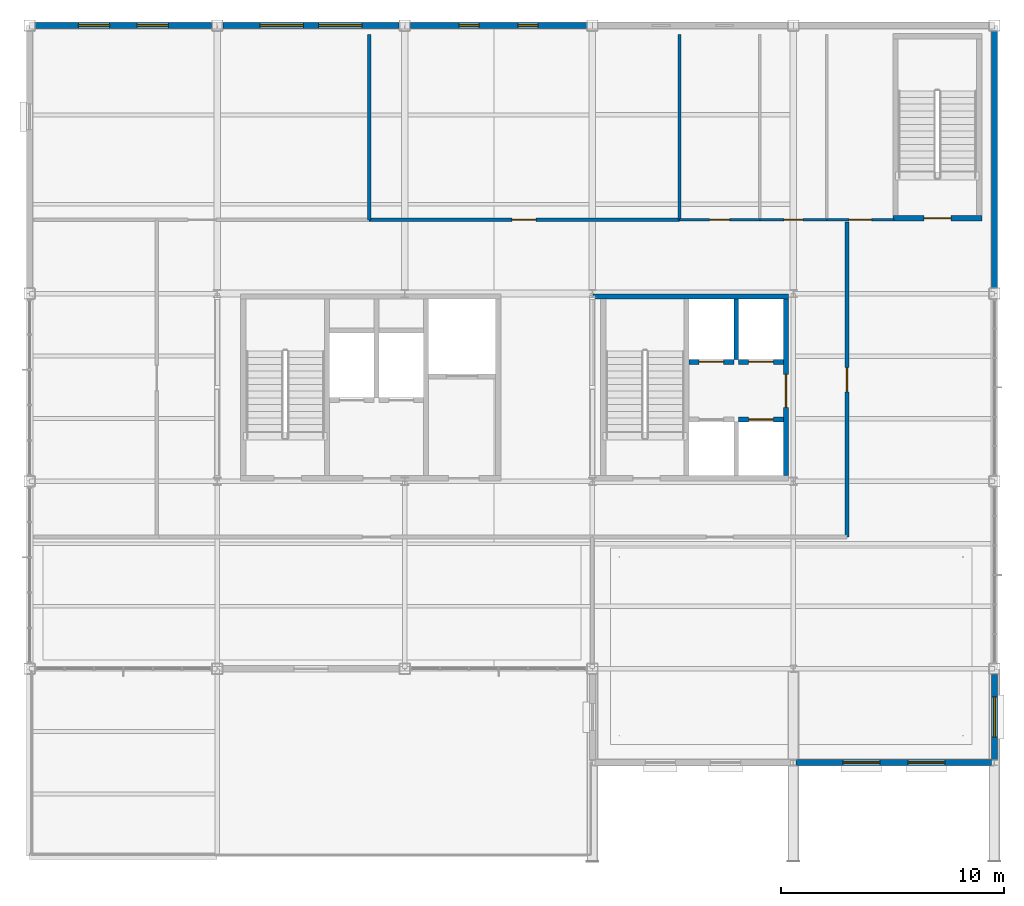
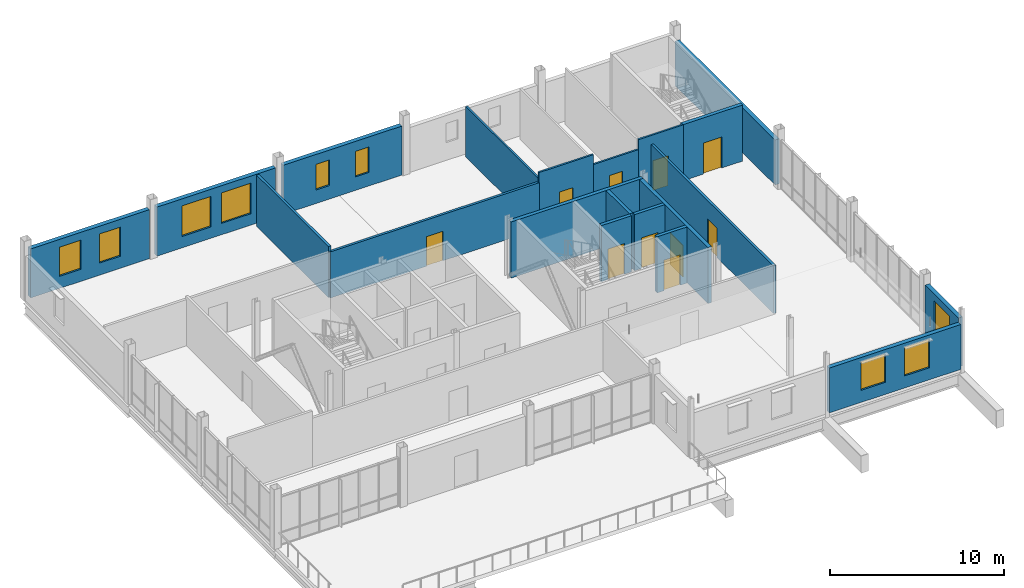
# One storey, part 15 of 22: 20 walls, 10 doors, 9 windows, 19 openings.
"""IFC4 building model written with IfcOpenShell, lengths in metres."""

from ifc_helpers import new_model, si_unit, direction, frame, frame_2d, origin, place, context, subcontext, project, spatial, rectangle, extrude, material, layer, layer_set, type_object, element, fill, save


model = new_model("IFC4")

# Units and contexts
model_context = context("Model", 3, precision=1e-05, world=origin(), true_north=direction((0.0, 1.0)))
body_context = subcontext(model_context, "Body", "Model", "MODEL_VIEW")
ifc_project = project(units=[si_unit("LENGTHUNIT", "METRE"), si_unit("AREAUNIT", "SQUARE_METRE"), si_unit("VOLUMEUNIT", "CUBIC_METRE"), si_unit("PLANEANGLEUNIT", "RADIAN"), si_unit("MASSUNIT", "GRAM", prefix="KILO")], contexts=[model_context])

# Site, building, storey
site_placement = place(None, origin())
site = spatial("IfcSite", under=ifc_project, at=site_placement, CompositionType="ELEMENT")
building_placement = place(site_placement, origin())
building = spatial("IfcBuilding", under=site, at=building_placement, Name="Yukiwa Park Conservatory and Herbarium", CompositionType="ELEMENT")
storey_placement = place(building_placement, frame((0.0, 0.0, 35.39990234375)))
storey = spatial("IfcBuildingStorey", under=building, at=storey_placement, Name="L09", CompositionType="ELEMENT", Elevation=35.39990234375)

# Wall
ifc_material_1 = material(Name="Concrete C40", Category="concrete")
ifc_layer_1 = layer(ifc_material_1, 0.219970703125)
ifc_layer_set_1 = layer_set([ifc_layer_1], Name="Concrete C40")
wall_type_1 = type_object("IfcWallType", Name="WL-CORE-RC220", PredefinedType="SHEAR", material=ifc_layer_set_1)
wall_1_placement = place(storey_placement, frame((156.43994140625, 100.25, 0.0), z_axis=(0.0, 0.0, 1.0), x_axis=(0.0, 1.0, 0.0)))
element("IfcWall", 1, at=wall_1_placement, inside=storey, type_object=wall_type_1, Name="L09 core shear wall 587", PredefinedType="SHEAR", context=body_context, shape_type="SweptSolid", body=[
    extrude(rectangle(XDim=2.699951171875, YDim=0.219970703125, at=frame_2d((1.35009765625, 0.0))), origin(), (0.0, 0.0, 1.0), 3.947998046875),
])

# Wall, opening, door
wall_2_placement = place(storey_placement, frame((154.330078125, 100.139892578125, 0.0), z_axis=(0.0, 0.0, 1.0), x_axis=(1.0, 0.0, 0.0)))
wall_2 = element("IfcWall", 2, at=wall_2_placement, inside=storey, type_object=wall_type_1, Name="L09 core shear wall 588", PredefinedType="SHEAR", context=body_context, shape_type="SweptSolid", body=[
    extrude(rectangle(XDim=2.0, YDim=0.219970703125, at=frame_2d((1.0, 0.0))), origin(), (0.0, 0.0, 1.0), 3.947998046875),
])
opening_1_placement = place(wall_2_placement, frame((0.449951171875, 0.0, 0.0)))
opening_1 = element("IfcOpeningElement", 3, at=opening_1_placement, cuts=wall_2, Name="Opening LD-01", PredefinedType="OPENING", context=body_context, shape_type="SweptSolid", body=[
    extrude(rectangle(XDim=1.10009765625, YDim=2.14990234375, at=frame_2d((0.550048828125, 1.074951171875))), frame((0.0, 0.1201171875, 0.0), z_axis=(0.0, -1.0, 0.0), x_axis=(1.0, 0.0, 0.0)), (0.0, 0.0, 1.0), 0.239990234375),
])
ifc_material_2 = material(Name="Steel Q235B", Category="steel")
door_type_1 = type_object("IfcDoorType", Name="DR-LIFT-LD1100", OperationType="SLIDING_TO_LEFT", PredefinedType="DOOR", material=ifc_material_2)
door_1_placement = place(opening_1_placement, origin())
door_1 = element("IfcDoor", 4, at=door_1_placement, inside=storey, type_object=door_type_1, Name="L09 Passenger Lift LP1 sliding landing door", OperationType="SLIDING_TO_LEFT", OverallHeight=2.14990234375, OverallWidth=1.10009765625, PredefinedType="DOOR", context=body_context, shape_type="SweptSolid", body=[
    extrude(rectangle(XDim=1.10009765625, YDim=2.14990234375, at=frame_2d((0.550048828125, 1.074951171875))), frame((0.0, 0.02490234375, 0.0), z_axis=(0.0, -1.0, 0.0), x_axis=(1.0, 0.0, 0.0)), (0.0, 0.0, 1.0), 0.050048828125),
])
fill(opening_1, door_1)

wall_3_placement = place(storey_placement, frame((156.550048828125, 100.139892578125, 0.0), z_axis=(0.0, 0.0, 1.0), x_axis=(1.0, 0.0, 0.0)))
wall_3 = element("IfcWall", 5, at=wall_3_placement, inside=storey, type_object=wall_type_1, Name="L09 core shear wall 589", PredefinedType="SHEAR", context=body_context, shape_type="SweptSolid", body=[
    extrude(rectangle(XDim=2.0, YDim=0.219970703125, at=frame_2d((1.0, 0.0))), origin(), (0.0, 0.0, 1.0), 3.947998046875),
])
opening_2_placement = place(wall_3_placement, frame((0.449951171875, 0.0, 0.0)))
opening_2 = element("IfcOpeningElement", 6, at=opening_2_placement, cuts=wall_3, Name="Opening LD-01", PredefinedType="OPENING", context=body_context, shape_type="SweptSolid", body=[
    extrude(rectangle(XDim=1.10009765625, YDim=2.14990234375, at=frame_2d((0.550048828125, 1.074951171875))), frame((0.0, 0.1201171875, 0.0), z_axis=(0.0, -1.0, 0.0), x_axis=(1.0, 0.0, 0.0)), (0.0, 0.0, 1.0), 0.239990234375),
])
door_2_placement = place(opening_2_placement, origin())
door_2 = element("IfcDoor", 7, at=door_2_placement, inside=storey, type_object=door_type_1, Name="L09 Passenger Lift LP2 sliding landing door", OperationType="SLIDING_TO_LEFT", OverallHeight=2.14990234375, OverallWidth=1.10009765625, PredefinedType="DOOR", context=body_context, shape_type="SweptSolid", body=[
    extrude(rectangle(XDim=1.10009765625, YDim=2.14990234375, at=frame_2d((0.550048828125, 1.074951171875))), frame((0.0, 0.02490234375, 0.0), z_axis=(0.0, -1.0, 0.0), x_axis=(1.0, 0.0, 0.0)), (0.0, 0.0, 1.0), 0.050048828125),
])
fill(opening_2, door_2)

wall_4_placement = place(storey_placement, frame((156.550048828125, 97.56005859375, 0.0), z_axis=(0.0, 0.0, 1.0), x_axis=(1.0, 0.0, 0.0)))
wall_4 = element("IfcWall", 8, at=wall_4_placement, inside=storey, type_object=wall_type_1, Name="L09 core shear wall 592", PredefinedType="SHEAR", context=body_context, shape_type="SweptSolid", body=[
    extrude(rectangle(XDim=2.0, YDim=0.219970703125, at=frame_2d((1.0, 0.0))), origin(), (0.0, 0.0, 1.0), 3.947998046875),
])
opening_3_placement = place(wall_4_placement, frame((0.449951171875, 0.0, 0.0)))
opening_3 = element("IfcOpeningElement", 9, at=opening_3_placement, cuts=wall_4, Name="Opening LD-01", PredefinedType="OPENING", context=body_context, shape_type="SweptSolid", body=[
    extrude(rectangle(XDim=1.10009765625, YDim=2.14990234375, at=frame_2d((0.550048828125, 1.074951171875))), frame((0.0, 0.1201171875, 0.0), z_axis=(0.0, -1.0, 0.0), x_axis=(1.0, 0.0, 0.0)), (0.0, 0.0, 1.0), 0.239990234375),
])
door_3_placement = place(opening_3_placement, origin())
door_3 = element("IfcDoor", 10, at=door_3_placement, inside=storey, type_object=door_type_1, Name="L09 Passenger Lift LP4 sliding landing door", OperationType="SLIDING_TO_LEFT", OverallHeight=2.14990234375, OverallWidth=1.10009765625, PredefinedType="DOOR", context=body_context, shape_type="SweptSolid", body=[
    extrude(rectangle(XDim=1.10009765625, YDim=2.14990234375, at=frame_2d((0.550048828125, 1.074951171875))), frame((0.0, 0.02490234375, 0.0), z_axis=(0.0, -1.0, 0.0), x_axis=(1.0, 0.0, 0.0)), (0.0, 0.0, 1.0), 0.050048828125),
])
fill(opening_3, door_3)

# Wall
ifc_material_3 = material(Name="Concrete C50", Category="concrete")
ifc_layer_2 = layer(ifc_material_3, 0.239990234375)
ifc_layer_set_2 = layer_set([ifc_layer_2], Name="Concrete C50")
wall_type_2 = type_object("IfcWallType", Name="WL-CORE-RC240", PredefinedType="SHEAR", material=ifc_layer_set_2)
wall_5_placement = place(storey_placement, frame((150.02001953125, 103.070068359375, 0.0), z_axis=(0.0, 0.0, 1.0), x_axis=(1.0, 0.0, 0.0)))
element("IfcWall", 11, at=wall_5_placement, inside=storey, type_object=wall_type_2, Name="L09 core shear wall 583", PredefinedType="SHEAR", context=body_context, shape_type="SweptSolid", body=[
    extrude(rectangle(XDim=8.77001953125, YDim=0.239990234375, at=frame_2d((4.385009765625, 0.0))), origin(), (0.0, 0.0, 1.0), 3.947998046875),
])

# Wall, opening, door
wall_6_placement = place(storey_placement, frame((158.669921875, 95.050048828125, 0.0), z_axis=(0.0, 0.0, 1.0), x_axis=(0.0, 1.0, 0.0)))
wall_6 = element("IfcWall", 12, at=wall_6_placement, inside=storey, type_object=wall_type_2, Name="L09 core shear wall 586", PredefinedType="SHEAR", context=body_context, shape_type="SweptSolid", body=[
    extrude(rectangle(XDim=7.89990234375, YDim=0.239990234375, at=frame_2d((3.949951171875, 0.0))), origin(), (0.0, 0.0, 1.0), 3.947998046875),
])
opening_4_placement = place(wall_6_placement, frame((3.050048828125, 0.0, 0.0)))
opening_4 = element("IfcOpeningElement", 13, at=opening_4_placement, cuts=wall_6, Name="Opening FD-07", PredefinedType="OPENING", context=body_context, shape_type="SweptSolid", body=[
    extrude(rectangle(XDim=1.47998046875, YDim=2.219970703125, at=frame_2d((0.739990234375, 1.10986328125))), frame((0.0, 0.1298828125, 0.0), z_axis=(0.0, -1.0, 0.0), x_axis=(1.0, 0.0, 0.0)), (0.0, 0.0, 1.0), 0.260009765625),
])
ifc_material_4 = material(Name="Steel Q235B", Category="steel")
door_type_2 = type_object("IfcDoorType", Name="DR-FIRE-FD60-1500", OperationType="DOUBLE_DOOR_SINGLE_SWING", PredefinedType="DOOR", material=ifc_material_4)
door_4_placement = place(opening_4_placement, origin())
door_4 = element("IfcDoor", 14, at=door_4_placement, inside=storey, type_object=door_type_2, Name="L09 Tower Passenger Lift Lobby double fire door", OperationType="DOUBLE_DOOR_SINGLE_SWING", OverallHeight=2.219970703125, OverallWidth=1.47998046875, PredefinedType="DOOR", context=body_context, shape_type="SweptSolid", body=[
    extrude(rectangle(XDim=1.47998046875, YDim=2.219970703125, at=frame_2d((0.739990234375, 1.10986328125))), frame((0.0, 0.02490234375, 0.0), z_axis=(0.0, -1.0, 0.0), x_axis=(1.0, 0.0, 0.0)), (0.0, 0.0, 1.0), 0.050048828125),
])
fill(opening_4, door_4)

wall_7_placement = place(storey_placement, frame((163.449951171875, 106.580078125, 0.0), z_axis=(0.0, 0.0, 1.0), x_axis=(1.0, 0.0, 0.0)))
wall_7 = element("IfcWall", 15, at=wall_7_placement, inside=storey, type_object=wall_type_2, Name="L09 core shear wall 593", PredefinedType="SHEAR", context=body_context, shape_type="SweptSolid", body=[
    extrude(rectangle(XDim=3.989990234375, YDim=0.239990234375, at=frame_2d((1.9951171875, 0.0))), origin(), (0.0, 0.0, 1.0), 3.947998046875),
])
opening_5_placement = place(wall_7_placement, frame((1.39501953125, 0.0, 0.0)))
opening_5 = element("IfcOpeningElement", 16, at=opening_5_placement, cuts=wall_7, Name="Opening SD-01", PredefinedType="OPENING", context=body_context, shape_type="SweptSolid", body=[
    extrude(rectangle(XDim=1.219970703125, YDim=2.179931640625, at=frame_2d((0.60986328125, 1.08984375))), frame((0.0, 0.1298828125, 0.0), z_axis=(0.0, -1.0, 0.0), x_axis=(1.0, 0.0, 0.0)), (0.0, 0.0, 1.0), 0.260009765625),
])
ifc_material_5 = material(Name="Steel Q235B", Category="steel")
door_type_3 = type_object("IfcDoorType", Name="DR-STAIR-FD90-1200", OperationType="SINGLE_SWING_LEFT", PredefinedType="DOOR", material=ifc_material_5)
door_5_placement = place(opening_5_placement, origin())
door_5 = element("IfcDoor", 17, at=door_5_placement, inside=storey, type_object=door_type_3, Name="L09 Stairwell ST-T3 fire door", OperationType="SINGLE_SWING_LEFT", OverallHeight=2.179931640625, OverallWidth=1.219970703125, PredefinedType="DOOR", context=body_context, shape_type="SweptSolid", body=[
    extrude(rectangle(XDim=1.219970703125, YDim=2.179931640625, at=frame_2d((0.60986328125, 1.08984375))), frame((0.0, 0.02490234375, 0.0), z_axis=(0.0, -1.0, 0.0), x_axis=(1.0, 0.0, 0.0)), (0.0, 0.0, 1.0), 0.050048828125),
])
fill(opening_5, door_5)

# Wall, opening, window
ifc_material_6 = material(Name="Pale Granite Cladding", Category="masonry")
ifc_layer_3 = layer(ifc_material_6, 0.280029296875)
ifc_layer_set_3 = layer_set([ifc_layer_3], Name="Pale Granite Cladding")
wall_type_3 = type_object("IfcWallType", Name="WL-EXT-GRAN-280", PredefinedType="SOLIDWALL", material=ifc_layer_set_3)
wall_8_placement = place(storey_placement, frame((168.0, 82.324951171875, 0.0), z_axis=(0.0, 0.0, 1.0), x_axis=(0.0, 1.0, 0.0)))
wall_8 = element("IfcWall", 18, at=wall_8_placement, inside=storey, type_object=wall_type_3, Name="L09 exterior envelope wall 336", PredefinedType="SOLIDWALL", context=body_context, shape_type="SweptSolid", body=[
    extrude(rectangle(XDim=3.824951171875, YDim=0.280029296875, at=frame_2d((1.91259765625, 0.0))), origin(), (0.0, 0.0, 1.0), 3.4541015625),
])
opening_6_placement = place(wall_8_placement, frame((1.012939453125, 0.0, 0.85009765625)))
opening_6 = element("IfcOpeningElement", 19, at=opening_6_placement, cuts=wall_8, Name="Opening W-07", PredefinedType="OPENING", context=body_context, shape_type="SweptSolid", body=[
    extrude(rectangle(XDim=1.800048828125, YDim=2.10009765625, at=frame_2d((0.89990234375, 1.050048828125))), frame((0.0, 0.14990234375, 0.0), z_axis=(0.0, -1.0, 0.0), x_axis=(1.0, 0.0, 0.0)), (0.0, 0.0, 1.0), 0.300048828125),
])
ifc_material_7 = material(Name="Triple Low-E Insulated Glass", Category="glass")
window_type_1 = type_object("IfcWindowType", Name="WN-TW-1800X2100", PartitioningType="SINGLE_PANEL", PredefinedType="WINDOW", material=ifc_material_7)
window_1_placement = place(opening_6_placement, origin())
window_1 = element("IfcWindow", 20, at=window_1_placement, inside=storey, type_object=window_type_1, Name="L09 deep-reveal triple-glazed window 260", OverallHeight=2.10009765625, OverallWidth=1.800048828125, PartitioningType="SINGLE_PANEL", PredefinedType="WINDOW", context=body_context, shape_type="SweptSolid", body=[
    extrude(rectangle(XDim=1.800048828125, YDim=2.10009765625, at=frame_2d((0.89990234375, 1.050048828125))), frame((0.0, 0.030029296875, 0.0), z_axis=(0.0, -1.0, 0.0), x_axis=(1.0, 0.0, 0.0)), (0.0, 0.0, 1.0), 0.06005859375),
])
fill(opening_6, window_1)

# Wall
wall_9_placement = place(storey_placement, frame((168.0, 103.449951171875, 0.0), z_axis=(0.0, 0.0, 1.0), x_axis=(0.0, 1.0, 0.0)))
element("IfcWall", 21, at=wall_9_placement, inside=storey, type_object=wall_type_3, Name="L09 exterior envelope wall 337", PredefinedType="SOLIDWALL", context=body_context, shape_type="SweptSolid", body=[
    extrude(rectangle(XDim=11.5, YDim=0.280029296875, at=frame_2d((5.75, 0.0))), origin(), (0.0, 0.0, 1.0), 3.156005859375),
])

# Wall, openings, windows
wall_10_placement = place(storey_placement, frame((149.75, 115.199951171875, 0.0), z_axis=(0.0, 0.0, 1.0), x_axis=(-1.0, 0.0, 0.0)))
wall_10 = element("IfcWall", 22, at=wall_10_placement, inside=storey, type_object=wall_type_3, Name="L09 exterior envelope wall 340", PredefinedType="SOLIDWALL", context=body_context, shape_type="SweptSolid", body=[
    extrude(rectangle(XDim=7.89990234375, YDim=0.280029296875, at=frame_2d((3.949951171875, 0.0))), origin(), (0.0, 0.0, 1.0), 3.447998046875),
])
opening_7_placement = place(wall_10_placement, frame((2.18310546875, 0.0, 0.949951171875)))
opening_7 = element("IfcOpeningElement", 23, at=opening_7_placement, cuts=wall_10, Name="Opening W-01", PredefinedType="OPENING", context=body_context, shape_type="SweptSolid", body=[
    extrude(rectangle(XDim=0.89990234375, YDim=1.800048828125, at=frame_2d((0.449951171875, 0.89990234375))), frame((0.0, 0.14990234375, 0.0), z_axis=(0.0, -1.0, 0.0), x_axis=(1.0, 0.0, 0.0)), (0.0, 0.0, 1.0), 0.300048828125),
])
opening_8_placement = place(wall_10_placement, frame((4.81689453125, 0.0, 0.949951171875)))
opening_8 = element("IfcOpeningElement", 24, at=opening_8_placement, cuts=wall_10, Name="Opening W-01", PredefinedType="OPENING", context=body_context, shape_type="SweptSolid", body=[
    extrude(rectangle(XDim=0.89990234375, YDim=1.800048828125, at=frame_2d((0.449951171875, 0.89990234375))), frame((0.0, 0.14990234375, 0.0), z_axis=(0.0, -1.0, 0.0), x_axis=(1.0, 0.0, 0.0)), (0.0, 0.0, 1.0), 0.300048828125),
])
ifc_material_8 = material(Name="Triple Low-E Insulated Glass", Category="glass")
window_type_2 = type_object("IfcWindowType", Name="WN-TW-0900X1800", PartitioningType="SINGLE_PANEL", PredefinedType="WINDOW", material=ifc_material_8)
window_2_placement = place(opening_7_placement, origin())
window_2 = element("IfcWindow", 25, at=window_2_placement, inside=storey, type_object=window_type_2, Name="L09 deep-reveal triple-glazed window 263", OverallHeight=1.800048828125, OverallWidth=0.89990234375, PartitioningType="SINGLE_PANEL", PredefinedType="WINDOW", context=body_context, shape_type="SweptSolid", body=[
    extrude(rectangle(XDim=0.89990234375, YDim=1.800048828125, at=frame_2d((0.449951171875, 0.89990234375))), frame((0.0, 0.030029296875, 0.0), z_axis=(0.0, -1.0, 0.0), x_axis=(1.0, 0.0, 0.0)), (0.0, 0.0, 1.0), 0.06005859375),
])
fill(opening_7, window_2)
window_3_placement = place(opening_8_placement, origin())
window_3 = element("IfcWindow", 26, at=window_3_placement, inside=storey, type_object=window_type_2, Name="L09 deep-reveal triple-glazed window 264", OverallHeight=1.800048828125, OverallWidth=0.89990234375, PartitioningType="SINGLE_PANEL", PredefinedType="WINDOW", context=body_context, shape_type="SweptSolid", body=[
    extrude(rectangle(XDim=0.89990234375, YDim=1.800048828125, at=frame_2d((0.449951171875, 0.89990234375))), frame((0.0, 0.030029296875, 0.0), z_axis=(0.0, -1.0, 0.0), x_axis=(1.0, 0.0, 0.0)), (0.0, 0.0, 1.0), 0.06005859375),
])
fill(opening_8, window_3)

wall_11_placement = place(storey_placement, frame((141.35009765625, 115.199951171875, 0.0), z_axis=(0.0, 0.0, 1.0), x_axis=(-1.0, 0.0, 0.0)))
wall_11 = element("IfcWall", 27, at=wall_11_placement, inside=storey, type_object=wall_type_3, Name="L09 exterior envelope wall 341", PredefinedType="SOLIDWALL", context=body_context, shape_type="SweptSolid", body=[
    extrude(rectangle(XDim=7.900146484375, YDim=0.280029296875, at=frame_2d((3.9501953125, 0.0))), origin(), (0.0, 0.0, 1.0), 3.447998046875),
])
opening_9_placement = place(wall_11_placement, frame((1.657958984375, 0.0, 0.800048828125)))
opening_9 = element("IfcOpeningElement", 28, at=opening_9_placement, cuts=wall_11, Name="Opening W-25", PredefinedType="OPENING", context=body_context, shape_type="SweptSolid", body=[
    extrude(rectangle(XDim=1.949951171875, YDim=2.14990234375, at=frame_2d((0.97509765625, 1.074951171875))), frame((0.0, 0.14990234375, 0.0), z_axis=(0.0, -1.0, 0.0), x_axis=(1.0, 0.0, 0.0)), (0.0, 0.0, 1.0), 0.300048828125),
])
opening_10_placement = place(wall_11_placement, frame((4.2919921875, 0.0, 0.800048828125)))
opening_10 = element("IfcOpeningElement", 29, at=opening_10_placement, cuts=wall_11, Name="Opening W-25", PredefinedType="OPENING", context=body_context, shape_type="SweptSolid", body=[
    extrude(rectangle(XDim=1.949951171875, YDim=2.14990234375, at=frame_2d((0.97509765625, 1.074951171875))), frame((0.0, 0.14990234375, 0.0), z_axis=(0.0, -1.0, 0.0), x_axis=(1.0, 0.0, 0.0)), (0.0, 0.0, 1.0), 0.300048828125),
])
ifc_material_9 = material(Name="Triple Low-E Insulated Glass", Category="glass")
window_type_3 = type_object("IfcWindowType", Name="WN-TW-1950X2150", PartitioningType="SINGLE_PANEL", PredefinedType="WINDOW", material=ifc_material_9)
window_4_placement = place(opening_9_placement, origin())
window_4 = element("IfcWindow", 30, at=window_4_placement, inside=storey, type_object=window_type_3, Name="L09 deep-reveal triple-glazed window 265", OverallHeight=2.14990234375, OverallWidth=1.949951171875, PartitioningType="SINGLE_PANEL", PredefinedType="WINDOW", context=body_context, shape_type="SweptSolid", body=[
    extrude(rectangle(XDim=1.949951171875, YDim=2.14990234375, at=frame_2d((0.97509765625, 1.074951171875))), frame((0.0, 0.030029296875, 0.0), z_axis=(0.0, -1.0, 0.0), x_axis=(1.0, 0.0, 0.0)), (0.0, 0.0, 1.0), 0.06005859375),
])
fill(opening_9, window_4)
window_5_placement = place(opening_10_placement, origin())
window_5 = element("IfcWindow", 31, at=window_5_placement, inside=storey, type_object=window_type_3, Name="L09 deep-reveal triple-glazed window 266", OverallHeight=2.14990234375, OverallWidth=1.949951171875, PartitioningType="SINGLE_PANEL", PredefinedType="WINDOW", context=body_context, shape_type="SweptSolid", body=[
    extrude(rectangle(XDim=1.949951171875, YDim=2.14990234375, at=frame_2d((0.97509765625, 1.074951171875))), frame((0.0, 0.030029296875, 0.0), z_axis=(0.0, -1.0, 0.0), x_axis=(1.0, 0.0, 0.0)), (0.0, 0.0, 1.0), 0.06005859375),
])
fill(opening_10, window_5)

wall_12_placement = place(storey_placement, frame((132.949951171875, 115.199951171875, 0.0), z_axis=(0.0, 0.0, 1.0), x_axis=(-1.0, 0.0, 0.0)))
wall_12 = element("IfcWall", 32, at=wall_12_placement, inside=storey, type_object=wall_type_3, Name="L09 exterior envelope wall 342", PredefinedType="SOLIDWALL", context=body_context, shape_type="SweptSolid", body=[
    extrude(rectangle(XDim=7.89990234375, YDim=0.280029296875, at=frame_2d((3.949951171875, 0.0))), origin(), (0.0, 0.0, 1.0), 3.447998046875),
])
opening_11_placement = place(wall_12_placement, frame((1.93310546875, 0.0, 0.85009765625)))
opening_11 = element("IfcOpeningElement", 33, at=opening_11_placement, cuts=wall_12, Name="Opening W-23", PredefinedType="OPENING", context=body_context, shape_type="SweptSolid", body=[
    extrude(rectangle(XDim=1.39990234375, YDim=2.050048828125, at=frame_2d((0.699951171875, 1.02490234375))), frame((0.0, 0.14990234375, 0.0), z_axis=(0.0, -1.0, 0.0), x_axis=(1.0, 0.0, 0.0)), (0.0, 0.0, 1.0), 0.300048828125),
])
opening_12_placement = place(wall_12_placement, frame((4.56689453125, 0.0, 0.85009765625)))
opening_12 = element("IfcOpeningElement", 34, at=opening_12_placement, cuts=wall_12, Name="Opening W-23", PredefinedType="OPENING", context=body_context, shape_type="SweptSolid", body=[
    extrude(rectangle(XDim=1.39990234375, YDim=2.050048828125, at=frame_2d((0.699951171875, 1.02490234375))), frame((0.0, 0.14990234375, 0.0), z_axis=(0.0, -1.0, 0.0), x_axis=(1.0, 0.0, 0.0)), (0.0, 0.0, 1.0), 0.300048828125),
])
ifc_material_10 = material(Name="Triple Low-E Insulated Glass", Category="glass")
window_type_4 = type_object("IfcWindowType", Name="WN-TW-1400X2050", PartitioningType="SINGLE_PANEL", PredefinedType="WINDOW", material=ifc_material_10)
window_6_placement = place(opening_11_placement, origin())
window_6 = element("IfcWindow", 35, at=window_6_placement, inside=storey, type_object=window_type_4, Name="L09 deep-reveal triple-glazed window 267", OverallHeight=2.050048828125, OverallWidth=1.39990234375, PartitioningType="SINGLE_PANEL", PredefinedType="WINDOW", context=body_context, shape_type="SweptSolid", body=[
    extrude(rectangle(XDim=1.39990234375, YDim=2.050048828125, at=frame_2d((0.699951171875, 1.02490234375))), frame((0.0, 0.030029296875, 0.0), z_axis=(0.0, -1.0, 0.0), x_axis=(1.0, 0.0, 0.0)), (0.0, 0.0, 1.0), 0.06005859375),
])
fill(opening_11, window_6)
window_7_placement = place(opening_12_placement, origin())
window_7 = element("IfcWindow", 36, at=window_7_placement, inside=storey, type_object=window_type_4, Name="L09 deep-reveal triple-glazed window 268", OverallHeight=2.050048828125, OverallWidth=1.39990234375, PartitioningType="SINGLE_PANEL", PredefinedType="WINDOW", context=body_context, shape_type="SweptSolid", body=[
    extrude(rectangle(XDim=1.39990234375, YDim=2.050048828125, at=frame_2d((0.699951171875, 1.02490234375))), frame((0.0, 0.030029296875, 0.0), z_axis=(0.0, -1.0, 0.0), x_axis=(1.0, 0.0, 0.0)), (0.0, 0.0, 1.0), 0.06005859375),
])
fill(opening_12, window_7)

wall_13_placement = place(storey_placement, frame((159.125, 82.199951171875, 0.0), z_axis=(0.0, 0.0, 1.0), x_axis=(1.0, 0.0, 0.0)))
wall_13 = element("IfcWall", 37, at=wall_13_placement, inside=storey, type_object=wall_type_3, Name="L09 exterior envelope wall 347", PredefinedType="SOLIDWALL", context=body_context, shape_type="SweptSolid", body=[
    extrude(rectangle(XDim=8.75, YDim=0.280029296875, at=frame_2d((4.375, 0.0))), origin(), (0.0, 0.0, 1.0), 3.156005859375),
])
opening_13_placement = place(wall_13_placement, frame((2.092041015625, 0.0, 0.85009765625)))
opening_13 = element("IfcOpeningElement", 38, at=opening_13_placement, cuts=wall_13, Name="Opening W-06", PredefinedType="OPENING", context=body_context, shape_type="SweptSolid", body=[
    extrude(rectangle(XDim=1.64990234375, YDim=2.010009765625, at=frame_2d((0.824951171875, 1.0048828125))), frame((0.0, 0.14990234375, 0.0), z_axis=(0.0, -1.0, 0.0), x_axis=(1.0, 0.0, 0.0)), (0.0, 0.0, 1.0), 0.300048828125),
])
opening_14_placement = place(wall_13_placement, frame((5.008056640625, 0.0, 0.85009765625)))
opening_14 = element("IfcOpeningElement", 39, at=opening_14_placement, cuts=wall_13, Name="Opening W-06", PredefinedType="OPENING", context=body_context, shape_type="SweptSolid", body=[
    extrude(rectangle(XDim=1.64990234375, YDim=2.010009765625, at=frame_2d((0.824951171875, 1.0048828125))), frame((0.0, 0.14990234375, 0.0), z_axis=(0.0, -1.0, 0.0), x_axis=(1.0, 0.0, 0.0)), (0.0, 0.0, 1.0), 0.300048828125),
])
ifc_material_11 = material(Name="Triple Low-E Insulated Glass", Category="glass")
window_type_5 = type_object("IfcWindowType", Name="WN-TW-1650X2100", PartitioningType="SINGLE_PANEL", PredefinedType="WINDOW", material=ifc_material_11)
window_8_placement = place(opening_13_placement, origin())
window_8 = element("IfcWindow", 40, at=window_8_placement, inside=storey, type_object=window_type_5, Name="L09 deep-reveal triple-glazed window 273", OverallHeight=2.010009765625, OverallWidth=1.64990234375, PartitioningType="SINGLE_PANEL", PredefinedType="WINDOW", context=body_context, shape_type="SweptSolid", body=[
    extrude(rectangle(XDim=1.64990234375, YDim=2.010009765625, at=frame_2d((0.824951171875, 1.0048828125))), frame((0.0, 0.030029296875, 0.0), z_axis=(0.0, -1.0, 0.0), x_axis=(1.0, 0.0, 0.0)), (0.0, 0.0, 1.0), 0.06005859375),
])
fill(opening_13, window_8)
window_9_placement = place(opening_14_placement, origin())
window_9 = element("IfcWindow", 41, at=window_9_placement, inside=storey, type_object=window_type_5, Name="L09 deep-reveal triple-glazed window 274", OverallHeight=2.010009765625, OverallWidth=1.64990234375, PartitioningType="SINGLE_PANEL", PredefinedType="WINDOW", context=body_context, shape_type="SweptSolid", body=[
    extrude(rectangle(XDim=1.64990234375, YDim=2.010009765625, at=frame_2d((0.824951171875, 1.0048828125))), frame((0.0, 0.030029296875, 0.0), z_axis=(0.0, -1.0, 0.0), x_axis=(1.0, 0.0, 0.0)), (0.0, 0.0, 1.0), 0.06005859375),
])
fill(opening_14, window_9)

# Wall, opening, door
ifc_material_12 = material(Name="Gypsum Board Partition", Category="gypsum")
ifc_layer_4 = layer(ifc_material_12, 0.159912109375)
ifc_layer_set_4 = layer_set([ifc_layer_4], Name="Gypsum Board Partition")
wall_type_4 = type_object("IfcWallType", Name="WL-PART-GYP-160", PredefinedType="PARTITIONING", material=ifc_layer_set_4)
wall_14_placement = place(storey_placement, frame((161.39990234375, 92.300048828125, 0.0), z_axis=(0.0, 0.0, 1.0), x_axis=(0.0, 1.0, 0.0)))
wall_14 = element("IfcWall", 42, at=wall_14_placement, inside=storey, type_object=wall_type_4, Name="L09 interior partition wall 603", PredefinedType="PARTITIONING", context=body_context, shape_type="SweptSolid", body=[
    extrude(rectangle(XDim=14.099853515625, YDim=0.159912109375, at=frame_2d((7.0498046875, 0.0))), origin(), (0.0, 0.0, 1.0), 3.34814453125),
])
opening_15_placement = place(wall_14_placement, frame((6.5, 0.0, 0.0)))
opening_15 = element("IfcOpeningElement", 43, at=opening_15_placement, cuts=wall_14, Name="Opening ID-11", PredefinedType="OPENING", context=body_context, shape_type="SweptSolid", body=[
    extrude(rectangle(XDim=1.080078125, YDim=2.080078125, at=frame_2d((0.5400390625, 1.0400390625))), frame((0.0, 0.08984375, 0.0), z_axis=(0.0, -1.0, 0.0), x_axis=(1.0, 0.0, 0.0)), (0.0, 0.0, 1.0), 0.179931640625),
])
ifc_material_13 = material(Name="Charred Larch Cladding", Category="wood")
door_type_4 = type_object("IfcDoorType", Name="DR-INT-1100", OperationType="SINGLE_SWING_RIGHT", PredefinedType="DOOR", material=ifc_material_13)
door_6_placement = place(opening_15_placement, origin())
door_6 = element("IfcDoor", 44, at=door_6_placement, inside=storey, type_object=door_type_4, Name="L09 L09 east room door", OperationType="SINGLE_SWING_RIGHT", OverallHeight=2.080078125, OverallWidth=1.080078125, PredefinedType="DOOR", context=body_context, shape_type="SweptSolid", body=[
    extrude(rectangle(XDim=1.080078125, YDim=2.080078125, at=frame_2d((0.5400390625, 1.0400390625))), frame((0.0, 0.02490234375, 0.0), z_axis=(0.0, -1.0, 0.0), x_axis=(1.0, 0.0, 0.0)), (0.0, 0.0, 1.0), 0.050048828125),
])
fill(opening_15, door_6)

wall_15_placement = place(storey_placement, frame((140.0, 106.5, 0.0), z_axis=(0.0, 0.0, 1.0), x_axis=(1.0, 0.0, 0.0)))
wall_15 = element("IfcWall", 45, at=wall_15_placement, inside=storey, type_object=wall_type_4, Name="L09 interior partition wall 610", PredefinedType="PARTITIONING", context=body_context, shape_type="SweptSolid", body=[
    extrude(rectangle(XDim=13.89990234375, YDim=0.159912109375, at=frame_2d((6.949951171875, 0.0))), origin(), (0.0, 0.0, 1.0), 3.248046875),
])
opening_16_placement = place(wall_15_placement, frame((6.39990234375, 0.0, 0.0)))
opening_16 = element("IfcOpeningElement", 46, at=opening_16_placement, cuts=wall_15, Name="Opening ID-11", PredefinedType="OPENING", context=body_context, shape_type="SweptSolid", body=[
    extrude(rectangle(XDim=1.080078125, YDim=2.080078125, at=frame_2d((0.5400390625, 1.0400390625))), frame((0.0, 0.08984375, 0.0), z_axis=(0.0, -1.0, 0.0), x_axis=(1.0, 0.0, 0.0)), (0.0, 0.0, 1.0), 0.179931640625),
])
door_7_placement = place(opening_16_placement, origin())
door_7 = element("IfcDoor", 47, at=door_7_placement, inside=storey, type_object=door_type_4, Name="L09 GIS Office door", OperationType="SINGLE_SWING_RIGHT", OverallHeight=2.080078125, OverallWidth=1.080078125, PredefinedType="DOOR", context=body_context, shape_type="SweptSolid", body=[
    extrude(rectangle(XDim=1.080078125, YDim=2.080078125, at=frame_2d((0.5400390625, 1.0400390625))), frame((0.0, 0.02490234375, 0.0), z_axis=(0.0, -1.0, 0.0), x_axis=(1.0, 0.0, 0.0)), (0.0, 0.0, 1.0), 0.050048828125),
])
fill(opening_16, door_7)

# Wall
wall_16_placement = place(storey_placement, frame((140.0, 106.5, 0.0), z_axis=(0.0, 0.0, 1.0), x_axis=(0.0, 1.0, 0.0)))
element("IfcWall", 48, at=wall_16_placement, inside=storey, type_object=wall_type_4, Name="L09 interior partition wall 611", PredefinedType="PARTITIONING", context=body_context, shape_type="SweptSolid", body=[
    extrude(rectangle(XDim=8.300048828125, YDim=0.159912109375, at=frame_2d((4.14990234375, 0.0))), origin(), (0.0, 0.0, 1.0), 3.60205078125),
])

# Wall, opening, door
ifc_material_14 = material(Name="Gypsum Board Partition", Category="gypsum")
ifc_layer_5 = layer(ifc_material_14, 0.1201171875)
ifc_layer_set_5 = layer_set([ifc_layer_5], Name="Gypsum Board Partition")
wall_type_5 = type_object("IfcWallType", Name="WL-PART-WET-150", PredefinedType="PARTITIONING", material=ifc_layer_set_5)
wall_17_placement = place(storey_placement, frame((153.89990234375, 106.5, 0.0), z_axis=(0.0, 0.0, 1.0), x_axis=(1.0, 0.0, 0.0)))
wall_17 = element("IfcWall", 49, at=wall_17_placement, inside=storey, type_object=wall_type_5, Name="L09 interior partition wall 597", PredefinedType="PARTITIONING", context=body_context, shape_type="SweptSolid", body=[
    extrude(rectangle(XDim=3.60009765625, YDim=0.1201171875, at=frame_2d((1.800048828125, 0.0))), origin(), (0.0, 0.0, 1.0), 3.947998046875),
])
opening_17_placement = place(wall_17_placement, frame((1.35009765625, 0.0, 0.0)))
opening_17 = element("IfcOpeningElement", 50, at=opening_17_placement, cuts=wall_17, Name="Opening ID-09", PredefinedType="OPENING", context=body_context, shape_type="SweptSolid", body=[
    extrude(rectangle(XDim=0.89990234375, YDim=2.10009765625, at=frame_2d((0.449951171875, 1.050048828125))), frame((0.0, 0.070068359375, 0.0), z_axis=(0.0, -1.0, 0.0), x_axis=(1.0, 0.0, 0.0)), (0.0, 0.0, 1.0), 0.14013671875),
])
ifc_material_15 = material(Name="Charred Larch Cladding", Category="wood")
door_type_5 = type_object("IfcDoorType", Name="DR-INT-900", OperationType="SINGLE_SWING_LEFT", PredefinedType="DOOR", material=ifc_material_15)
door_8_placement = place(opening_17_placement, origin())
door_8 = element("IfcDoor", 51, at=door_8_placement, inside=storey, type_object=door_type_5, Name="L09 Public WC door", OperationType="SINGLE_SWING_LEFT", OverallHeight=2.10009765625, OverallWidth=0.89990234375, PredefinedType="DOOR", context=body_context, shape_type="SweptSolid", body=[
    extrude(rectangle(XDim=0.89990234375, YDim=2.10009765625, at=frame_2d((0.449951171875, 1.050048828125))), frame((0.0, 0.02490234375, 0.0), z_axis=(0.0, -1.0, 0.0), x_axis=(1.0, 0.0, 0.0)), (0.0, 0.0, 1.0), 0.050048828125),
])
fill(opening_17, door_8)

wall_18_placement = place(storey_placement, frame((157.5, 106.5, 0.0), z_axis=(0.0, 0.0, 1.0), x_axis=(1.0, 0.0, 0.0)))
wall_18 = element("IfcWall", 52, at=wall_18_placement, inside=storey, type_object=wall_type_5, Name="L09 interior partition wall 598", PredefinedType="PARTITIONING", context=body_context, shape_type="SweptSolid", body=[
    extrude(rectangle(XDim=3.0, YDim=0.1201171875, at=frame_2d((1.5, 0.0))), origin(), (0.0, 0.0, 1.0), 3.248046875),
])
opening_18_placement = place(wall_18_placement, frame((1.074951171875, 0.0, 0.0)))
opening_18 = element("IfcOpeningElement", 53, at=opening_18_placement, cuts=wall_18, Name="Opening ID-85", PredefinedType="OPENING", context=body_context, shape_type="SweptSolid", body=[
    extrude(rectangle(XDim=0.85009765625, YDim=2.10009765625, at=frame_2d((0.425048828125, 1.050048828125))), frame((0.0, 0.070068359375, 0.0), z_axis=(0.0, -1.0, 0.0), x_axis=(1.0, 0.0, 0.0)), (0.0, 0.0, 1.0), 0.14013671875),
])
ifc_material_16 = material(Name="Charred Larch Cladding", Category="wood")
door_type_6 = type_object("IfcDoorType", Name="DR-INT-850", OperationType="SINGLE_SWING_RIGHT", PredefinedType="DOOR", material=ifc_material_16)
door_9_placement = place(opening_18_placement, origin())
door_9 = element("IfcDoor", 54, at=door_9_placement, inside=storey, type_object=door_type_6, Name="L09 Staff WC door", OperationType="SINGLE_SWING_RIGHT", OverallHeight=2.10009765625, OverallWidth=0.85009765625, PredefinedType="DOOR", context=body_context, shape_type="SweptSolid", body=[
    extrude(rectangle(XDim=0.85009765625, YDim=2.10009765625, at=frame_2d((0.425048828125, 1.050048828125))), frame((0.0, 0.02490234375, 0.0), z_axis=(0.0, -1.0, 0.0), x_axis=(1.0, 0.0, 0.0)), (0.0, 0.0, 1.0), 0.050048828125),
])
fill(opening_18, door_9)

wall_19_placement = place(storey_placement, frame((160.5, 106.5, 0.0), z_axis=(0.0, 0.0, 1.0), x_axis=(1.0, 0.0, 0.0)))
wall_19 = element("IfcWall", 55, at=wall_19_placement, inside=storey, type_object=wall_type_5, Name="L09 interior partition wall 599", PredefinedType="PARTITIONING", context=body_context, shape_type="SweptSolid", body=[
    extrude(rectangle(XDim=3.0, YDim=0.1201171875, at=frame_2d((1.5, 0.0))), origin(), (0.0, 0.0, 1.0), 3.947998046875),
])
opening_19_placement = place(wall_19_placement, frame((1.0, 0.0, 0.0)))
opening_19 = element("IfcOpeningElement", 56, at=opening_19_placement, cuts=wall_19, Name="Opening ID-10", PredefinedType="OPENING", context=body_context, shape_type="SweptSolid", body=[
    extrude(rectangle(XDim=1.0, YDim=2.10009765625, at=frame_2d((0.5, 1.050048828125))), frame((0.0, 0.070068359375, 0.0), z_axis=(0.0, -1.0, 0.0), x_axis=(1.0, 0.0, 0.0)), (0.0, 0.0, 1.0), 0.14013671875),
])
ifc_material_17 = material(Name="Charred Larch Cladding", Category="wood")
door_type_7 = type_object("IfcDoorType", Name="DR-ACC-1000", OperationType="SINGLE_SWING_LEFT", PredefinedType="DOOR", material=ifc_material_17)
door_10_placement = place(opening_19_placement, origin())
door_10 = element("IfcDoor", 57, at=door_10_placement, inside=storey, type_object=door_type_7, Name="L09 Accessible WC door", OperationType="SINGLE_SWING_LEFT", OverallHeight=2.10009765625, OverallWidth=1.0, PredefinedType="DOOR", context=body_context, shape_type="SweptSolid", body=[
    extrude(rectangle(XDim=1.0, YDim=2.10009765625, at=frame_2d((0.5, 1.050048828125))), frame((0.0, 0.02490234375, 0.0), z_axis=(0.0, -1.0, 0.0), x_axis=(1.0, 0.0, 0.0)), (0.0, 0.0, 1.0), 0.050048828125),
])
fill(opening_19, door_10)

# Wall
wall_20_placement = place(storey_placement, frame((153.89990234375, 106.5, 0.0), z_axis=(0.0, 0.0, 1.0), x_axis=(0.0, 1.0, 0.0)))
element("IfcWall", 58, at=wall_20_placement, inside=storey, type_object=wall_type_5, Name="L09 interior partition wall 600", PredefinedType="PARTITIONING", context=body_context, shape_type="SweptSolid", body=[
    extrude(rectangle(XDim=8.300048828125, YDim=0.1201171875, at=frame_2d((4.14990234375, 0.0))), origin(), (0.0, 0.0, 1.0), 3.552001953125),
])

save(model, "model.ifc")
